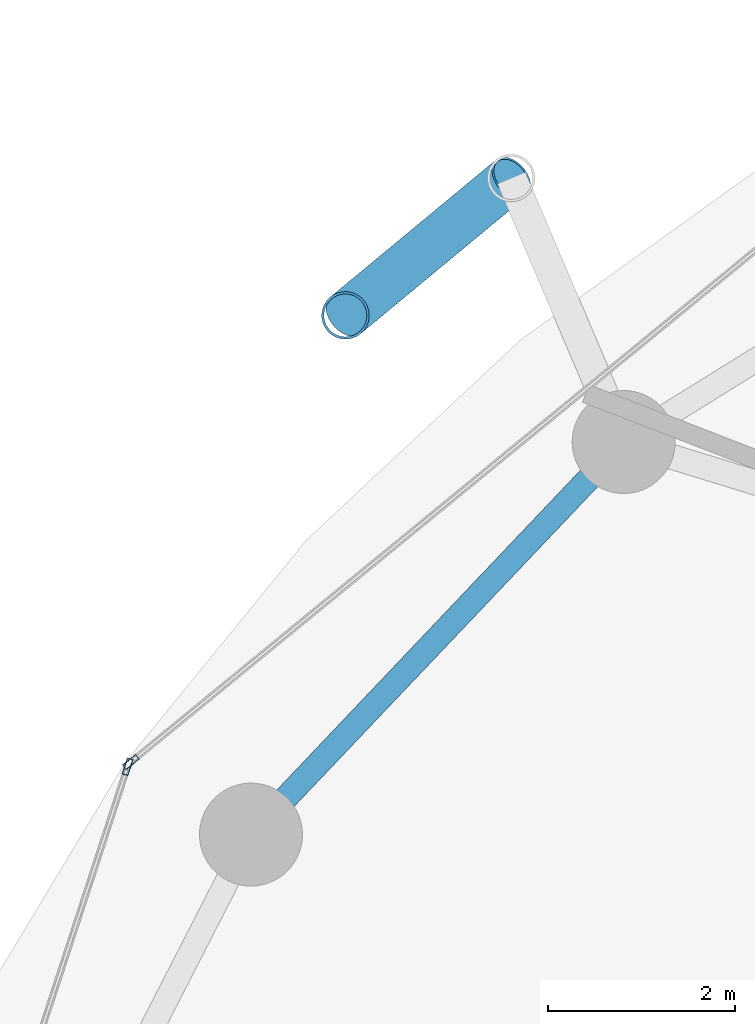
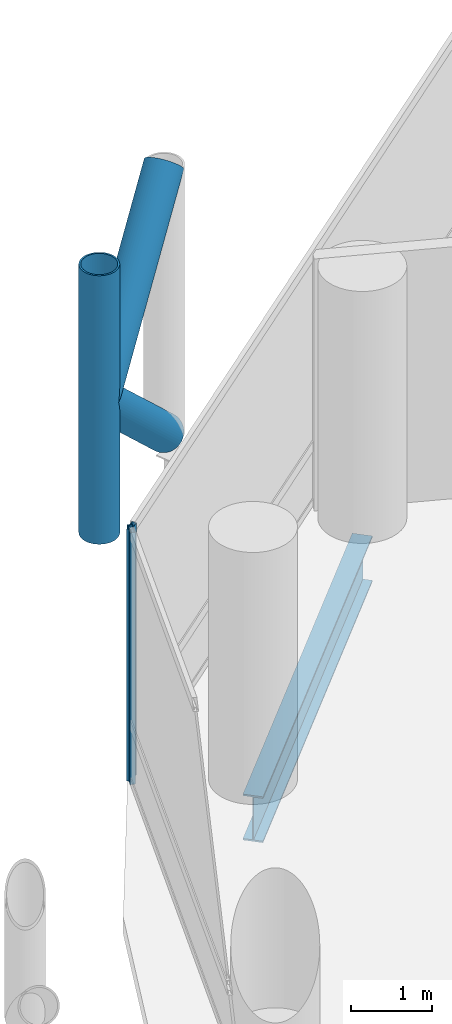
# One storey, part 13 of 24: 5 members, 1 beam, 2 elements without a shape of their own.
"""IFC4 building model written with IfcOpenShell, lengths in metres."""

import ifcopenshell
import ifcopenshell.guid

model = None  # the IFC model being written
_history = None  # IfcOwnerHistory: only IFC2X3 demands one
_inside = {}  # id of a spatial element -> (the spatial element, [elements in it])
_under = {}  # id of a project, library or spatial element -> (it, [spatial elements below it])
_declared = {}  # id of a project -> (the project, [libraries it declares])
_typed = {}  # id of a type object -> (the type object, [elements of that type])
_made_of = {}  # id of a material, layer set ... -> (it, [elements and type objects made of it])


def new_model(schema):
    """Start an empty IFC model of exactly this schema.

    Asked for "IFC4X3", IfcOpenShell would pick the latest addendum, in which some entities
    have other attributes; the version numbers below select the first issue.
    IFC2X3 requires an IfcOwnerHistory on every rooted entity: one is made here for all.
    """
    global model, _history
    if schema == "IFC4X3":
        model = ifcopenshell.file(schema_version=(4, 3, 0, 0))
    else:
        model = ifcopenshell.file(schema=schema)
    _inside.clear()
    _under.clear()
    _declared.clear()
    _typed.clear()
    _made_of.clear()
    _history = None
    if model.schema == "IFC2X3":
        org = make("IfcOrganization", Name="unknown")
        user = make(
            "IfcPersonAndOrganization",
            ThePerson=make("IfcPerson", FamilyName="unknown"),
            TheOrganization=org,
        )
        app = make(
            "IfcApplication",
            ApplicationDeveloper=org,
            Version="unknown",
            ApplicationFullName="unknown",
            ApplicationIdentifier="unknown",
        )
        _history = make(
            "IfcOwnerHistory",
            OwningUser=user,
            OwningApplication=app,
            ChangeAction="ADDED",
            CreationDate=0,
        )
    return model


def make(cls, **values):
    """One entity of the class cls with the attributes given. An attribute that is None is left unset."""
    return model.create_entity(
        cls, **{name: value for name, value in values.items() if value is not None}
    )


def rooted(cls, **values):
    """An entity with a GlobalId (a new one), such as an element, a storey or a relation."""
    return make(cls, GlobalId=ifcopenshell.guid.new(), OwnerHistory=_history, **values)


def si_unit(unit_type, name, prefix=None):
    """IfcSIUnit, for example si_unit("LENGTHUNIT", "METRE", prefix="MILLI")."""
    return make("IfcSIUnit", UnitType=unit_type, Prefix=prefix, Name=name)


def assignment(units):
    """IfcUnitAssignment: the units of a project."""
    return None if units is None else make("IfcUnitAssignment", Units=units)


def point(xyz):
    """IfcCartesianPoint."""
    return None if xyz is None else make("IfcCartesianPoint", Coordinates=xyz)


def direction(xyz):
    """IfcDirection."""
    return None if xyz is None else make("IfcDirection", DirectionRatios=xyz)


def frame(location, z_axis=None, x_axis=None):
    """IfcAxis2Placement3D, a coordinate frame: its origin and axes. An axis left out is left unset."""
    return make(
        "IfcAxis2Placement3D",
        Location=point(location),
        Axis=direction(z_axis),
        RefDirection=direction(x_axis),
    )


def frame_2d(location, x_axis=None):
    """IfcAxis2Placement2D, a coordinate frame in the plane: its origin and x axis."""
    return make(
        "IfcAxis2Placement2D", Location=point(location), RefDirection=direction(x_axis)
    )


def origin():
    """The frame at (0, 0, 0) with its axes left unset."""
    return frame((0.0, 0.0, 0.0))


def origin_2d():
    """The frame at (0, 0) in the plane with its x axis left unset."""
    return frame_2d((0.0, 0.0))


def place(relative_to, where):
    """IfcLocalPlacement: puts the frame where relative to a parent placement (None: the world)."""
    return make(
        "IfcLocalPlacement", PlacementRelTo=relative_to, RelativePlacement=where
    )


def context(
    kind, dimensions, precision=None, world=None, true_north=None, identifier=None
):
    """IfcGeometricRepresentationContext, for example the 3D "Model" context."""
    return make(
        "IfcGeometricRepresentationContext",
        ContextIdentifier=identifier,
        ContextType=kind,
        CoordinateSpaceDimension=dimensions,
        Precision=precision,
        WorldCoordinateSystem=world,
        TrueNorth=true_north,
    )


def subcontext(parent, identifier, kind, view, scale=None):
    """IfcGeometricRepresentationSubContext, for example "Body" below "Model"."""
    return make(
        "IfcGeometricRepresentationSubContext",
        ContextIdentifier=identifier,
        ContextType=kind,
        ParentContext=parent,
        TargetScale=scale,
        TargetView=view,
    )


def project(units=None, contexts=None):
    """IfcProject with its units and contexts."""
    return rooted(
        "IfcProject",
        Name="project",
        RepresentationContexts=contexts,
        UnitsInContext=assignment(units),
    )


def spatial(cls, under=None, at=None, **own):
    """A site, building, storey or space (cls), placed at a placement, below another one or the project."""
    s = rooted(cls, ObjectPlacement=at, **own)
    if under is not None:
        _under.setdefault(under.id(), (under, []))[1].append(s)
    return s


def profile(cls, at=None, kind="AREA", **sizes):
    """A parametric profile (cls). Its sizes go by their IFC names, for example OverallWidth=200.0."""
    return make(cls, ProfileType=kind, Position=at, **sizes)


def hollow_rectangle(**sizes):
    """IfcRectangleHollowProfileDef."""
    return profile("IfcRectangleHollowProfileDef", **sizes)


def hollow_circle(**sizes):
    """IfcCircleHollowProfileDef."""
    return profile("IfcCircleHollowProfileDef", **sizes)


def i_section(**sizes):
    """IfcIShapeProfileDef."""
    return profile("IfcIShapeProfileDef", **sizes)


def extrude(swept, where, along, depth):
    """IfcExtrudedAreaSolid: the profile swept, set in the frame where, extruded along a direction by depth."""
    return make(
        "IfcExtrudedAreaSolid",
        SweptArea=swept,
        Position=where,
        ExtrudedDirection=direction(along),
        Depth=depth,
    )


def shape(context_of_items, identifier, shape_type, items):
    """IfcShapeRepresentation: the items that make up one representation, for example the "Body"."""
    return make(
        "IfcShapeRepresentation",
        ContextOfItems=context_of_items,
        RepresentationIdentifier=identifier,
        RepresentationType=shape_type,
        Items=items,
    )


def material(Name=None, Category=None):
    """IfcMaterial."""
    return make("IfcMaterial", Name=Name, Category=Category)


def layer(
    of_material, thickness, ventilated=None, Name=None, Category=None, Priority=None
):
    """IfcMaterialLayer: one layer of a wall or slab, of a material (None: an air gap)."""
    return make(
        "IfcMaterialLayer",
        Material=of_material,
        LayerThickness=thickness,
        IsVentilated=ventilated,
        Name=Name,
        Category=Category,
        Priority=Priority,
    )


def layer_set(layers, Name=None):
    """IfcMaterialLayerSet."""
    return make("IfcMaterialLayerSet", MaterialLayers=layers, LayerSetName=Name)


def material_profile(
    of_material, cross_section, Name=None, Category=None, Priority=None
):
    """IfcMaterialProfile: a cross section and its material."""
    return make(
        "IfcMaterialProfile",
        Name=Name,
        Material=of_material,
        Profile=cross_section,
        Priority=Priority,
        Category=Category,
    )


def profile_set(profiles, Name=None, composite=None):
    """IfcMaterialProfileSet."""
    return make(
        "IfcMaterialProfileSet",
        Name=Name,
        MaterialProfiles=profiles,
        CompositeProfile=composite,
    )


def made_of(thing, what):
    """Note that an element or type object is made of a material, layer set ...; save() writes the relation."""
    if what is not None:
        _made_of.setdefault(what.id(), (what, []))[1].append(thing)
    return thing


def type_object(cls, material=None, **own):
    """A type object (cls), such as IfcWallType, which elements share."""
    return made_of(rooted(cls, **own), material)


def element(
    cls,
    number,
    at=None,
    inside=None,
    cuts=None,
    type_object=None,
    material=None,
    context=None,
    identifier="Body",
    shape_type=None,
    held_by="IfcProductDefinitionShape",
    body=None,
    shapes=None,
    **own,
):
    """One element of the class cls, such as IfcWall. Its Tag is "e" and its number.

    at: its placement. inside: the storey or other place that contains it. cuts: it is an
    opening in that element (IfcRelVoidsElement). A single representation is given by context,
    identifier, shape_type and body (its items); several are given by shapes. held_by: the class
    of the entity that holds the representations. save() writes the other relations.
    """
    e = rooted(cls, Tag="e%d" % number, ObjectPlacement=at, **own)
    if body is not None:
        shapes = [shape(context, identifier, shape_type, body)]
    if shapes is not None:
        e.Representation = make(held_by, Representations=shapes)
    if inside is not None:
        _inside.setdefault(inside.id(), (inside, []))[1].append(e)
    if cuts is not None:
        rooted(
            "IfcRelVoidsElement", RelatingBuildingElement=cuts, RelatedOpeningElement=e
        )
    if type_object is not None:
        _typed.setdefault(type_object.id(), (type_object, []))[1].append(e)
    return made_of(e, material)


def aggregate(whole, parts):
    """IfcRelAggregates: a whole, such as a stair, and the parts it consists of."""
    return rooted("IfcRelAggregates", RelatingObject=whole, RelatedObjects=parts)


def save(model, path):
    """Write the relations noted so far, then the file.

    IfcRelAggregates (storeys below a building ...), IfcRelContainedInSpatialStructure (elements
    in a storey), IfcRelDefinesByType, IfcRelAssociatesMaterial and IfcRelDeclares: one each for
    every whole, place, type object, material and project.
    """
    for whole, parts in _under.values():
        aggregate(whole, parts)
    for where, things in _inside.values():
        rooted(
            "IfcRelContainedInSpatialStructure",
            RelatedElements=things,
            RelatingStructure=where,
        )
    for kind, things in _typed.values():
        rooted("IfcRelDefinesByType", RelatedObjects=things, RelatingType=kind)
    for what, things in _made_of.values():
        rooted("IfcRelAssociatesMaterial", RelatedObjects=things, RelatingMaterial=what)
    for by, libraries in _declared.values():
        rooted("IfcRelDeclares", RelatingContext=by, RelatedDefinitions=libraries)
    model.write(path)


model = new_model("IFC4")

# Units and contexts
model_context = context("Model", 3, precision=1e-05, world=origin(), true_north=direction((0.0, 1.0)))
body_context = subcontext(model_context, "Body", "Model", "MODEL_VIEW")
ifc_project = project(units=[si_unit("LENGTHUNIT", "METRE"), si_unit("AREAUNIT", "SQUARE_METRE"), si_unit("VOLUMEUNIT", "CUBIC_METRE"), si_unit("PLANEANGLEUNIT", "RADIAN"), si_unit("MASSUNIT", "GRAM", prefix="KILO")], contexts=[model_context])

# Site, building, storey
site_placement = place(None, origin())
site = spatial("IfcSite", under=ifc_project, at=site_placement, CompositionType="ELEMENT")
building_placement = place(site_placement, origin())
building = spatial("IfcBuilding", under=site, at=building_placement, Name="Nuhasar Tower", CompositionType="ELEMENT")
storey_placement = place(building_placement, frame((0.0, 0.0, 69.60009765625)))
storey = spatial("IfcBuildingStorey", under=building, at=storey_placement, Name="L16", CompositionType="ELEMENT", Elevation=69.60009765625)

# Beam
ifc_material_1 = material(Name="Steel S355", Category="steel")
ifc_material_profile_1 = material_profile(ifc_material_1, i_section(OverallWidth=0.256103515625, OverallDepth=0.693115234375, WebThickness=0.014404296875, FlangeThickness=0.023681640625, at=origin_2d()), Name="W27X114")
ifc_profile_set_1 = profile_set([ifc_material_profile_1], Name="Steel S355")
beam_type = type_object("IfcBeamType", Name="BM-RING-W27X114", PredefinedType="SPANDREL", material=ifc_profile_set_1)
beam_placement = place(storey_placement, frame((21.287109375, 41.118896484375, -0.59716796875), z_axis=(-0.688480893507, -0.725254478976, 0.0), x_axis=(0.725254478976, -0.688480893507, 0.0)))
element("IfcBeam", 1, at=beam_placement, inside=storey, type_object=beam_type, Name="L16 Perimeter Ring Spandrel 10", PredefinedType="SPANDREL", context=body_context, shape_type="SweptSolid", body=[
    extrude(i_section(OverallWidth=0.256103515625, OverallDepth=0.693115234375, WebThickness=0.014404296875, FlangeThickness=0.023681640625, at=origin_2d()), origin(), (0.0, 0.0, 1.0), 5.782470703125),
])

# Curtain wall, member
ifc_material_2 = material(Name="Aluminium 6063-T6", Category="aluminium")
ifc_layer = layer(ifc_material_2, 0.199951171875)
ifc_layer_set = layer_set([ifc_layer], Name="Aluminium 6063-T6")
curtain_wall_type = type_object("IfcCurtainWallType", Name="CW-Z1-OFF", PredefinedType="NOTDEFINED", material=ifc_layer_set)
curtain_wall_1_placement = place(storey_placement, origin())
curtain_wall_1 = element("IfcCurtainWall", 2, at=curtain_wall_1_placement, inside=storey, type_object=curtain_wall_type, Name="L16 Unitised Curtain Wall 05", PredefinedType="NOTDEFINED")
ifc_material_profile_2 = material_profile(ifc_material_2, hollow_rectangle(XDim=0.06494140625, YDim=0.179931640625, WallThickness=0.0048828125, at=origin_2d()), Name="CWM-2")
ifc_profile_set_2 = profile_set([ifc_material_profile_2], Name="Aluminium 6063-T6")
member_type_1 = type_object("IfcMemberType", Name="CW-MUL-S2", PredefinedType="MULLION", material=ifc_profile_set_2)
member_1_placement = place(storey_placement, frame((16.023193359375, 37.70068359375, 0.0), z_axis=(0.0, 0.0, 1.0), x_axis=(0.633744593376, -0.773542364946, 0.0)))
member_1 = element("IfcMember", 3, at=member_1_placement, type_object=member_type_1, Name="CW-Z1 mullion 2", PredefinedType="MULLION", context=body_context, shape_type="SweptSolid", body=[
    extrude(hollow_rectangle(XDim=0.06494140625, YDim=0.179931640625, WallThickness=0.0048828125, at=origin_2d()), origin(), (0.0, 0.0, 1.0), 3.7998046875),
])
aggregate(curtain_wall_1, [member_1])

curtain_wall_2_placement = place(storey_placement, origin())
curtain_wall_2 = element("IfcCurtainWall", 4, at=curtain_wall_2_placement, inside=storey, type_object=curtain_wall_type, Name="L16 Unitised Curtain Wall 06", PredefinedType="NOTDEFINED")
member_2_placement = place(storey_placement, frame((15.98779296875, 37.649169921875, 0.0), z_axis=(0.0, 0.0, 1.0), x_axis=(0.950467534571, -0.310823849997, 0.0)))
member_2 = element("IfcMember", 5, at=member_2_placement, type_object=member_type_1, Name="CW-Z1 mullion 1", PredefinedType="MULLION", context=body_context, shape_type="SweptSolid", body=[
    extrude(hollow_rectangle(XDim=0.06494140625, YDim=0.179931640625, WallThickness=0.0048828125, at=origin_2d()), origin(), (0.0, 0.0, 1.0), 3.7998046875),
])
aggregate(curtain_wall_2, [member_2])

# Members
ifc_material_3 = material(Name="Steel S460", Category="steel")
ifc_material_profile_3 = material_profile(ifc_material_3, hollow_circle(Radius=0.25390625, WallThickness=0.025390625, at=origin_2d()), Name="HSS508X25.4")
ifc_profile_set_3 = profile_set([ifc_material_profile_3], Name="Steel S460")
member_type_2 = type_object("IfcMemberType", Name="EXO-BRONZE-508", PredefinedType="BRACE", material=ifc_profile_set_3)
member_3_placement = place(storey_placement, frame((18.31494140625, 42.470947265625, 0.0), z_axis=(0.0, 0.0, 1.0), x_axis=(1.0, 0.0, 0.0)))
element("IfcMember", 6, at=member_3_placement, inside=storey, type_object=member_type_2, Name="L16 Exoskeleton Chord Column EC-05B", PredefinedType="BRACE", context=body_context, shape_type="SweptSolid", body=[
    extrude(hollow_circle(Radius=0.25390625, WallThickness=0.025390625, at=origin_2d()), origin(), (0.0, 0.0, 1.0), 4.0498046875),
])
for number, where, z_axis, x_axis, name in (
    (7, (20.0869140625, 43.93896484375, 0.0), (-0.578101613167, -0.478937034992, 0.660619286251), (0.637969333506, -0.770061769929, 0.0), "L16 Bronze Diagrid Brace W1-05"),
    (8, (18.31494140625, 42.470947265625, 2.02490234375), (0.578101613167, 0.478937034992, 0.660619286251), (-0.637969333506, 0.770061769929, 0.0), "L16 Bronze Diagrid Brace W2-05"),
):
    element("IfcMember", number, at=place(storey_placement, frame(where, z_axis=z_axis, x_axis=x_axis)), inside=storey, type_object=member_type_2, Name=name, PredefinedType="BRACE", context=body_context, shape_type="SweptSolid", body=[
        extrude(hollow_circle(Radius=0.25390625, WallThickness=0.025390625, at=origin_2d()), origin(), (0.0, 0.0, 1.0), 3.065185546875),
    ])

save(model, "model.ifc")
